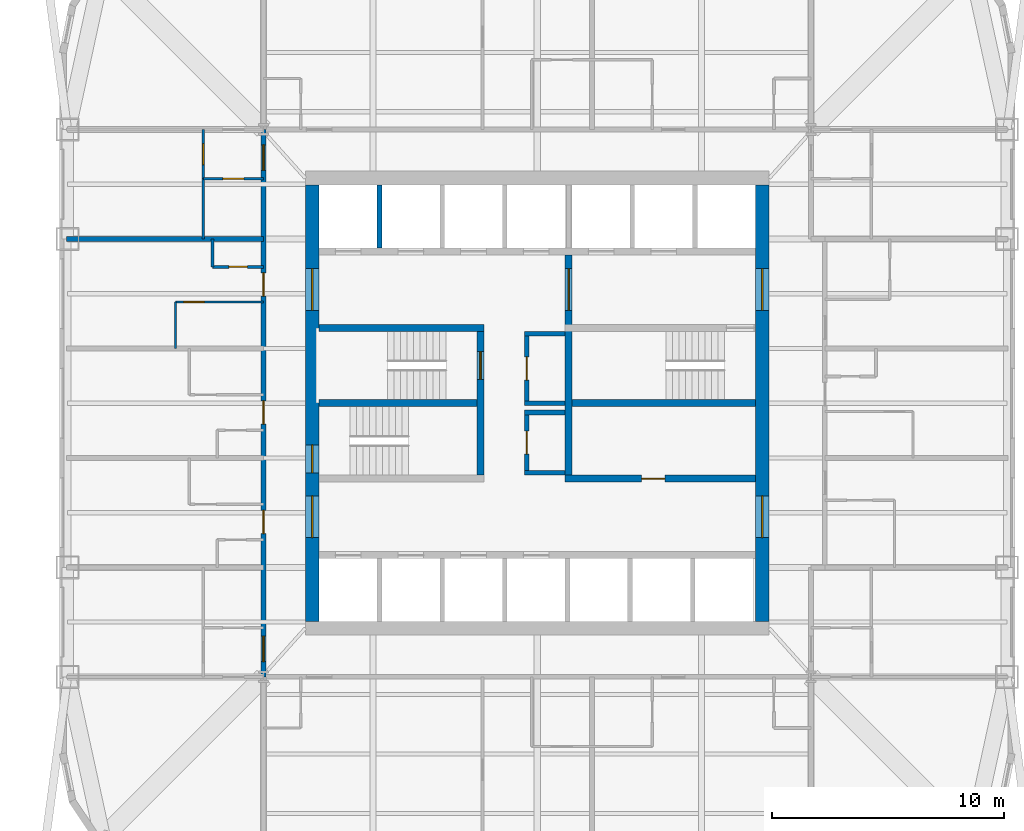
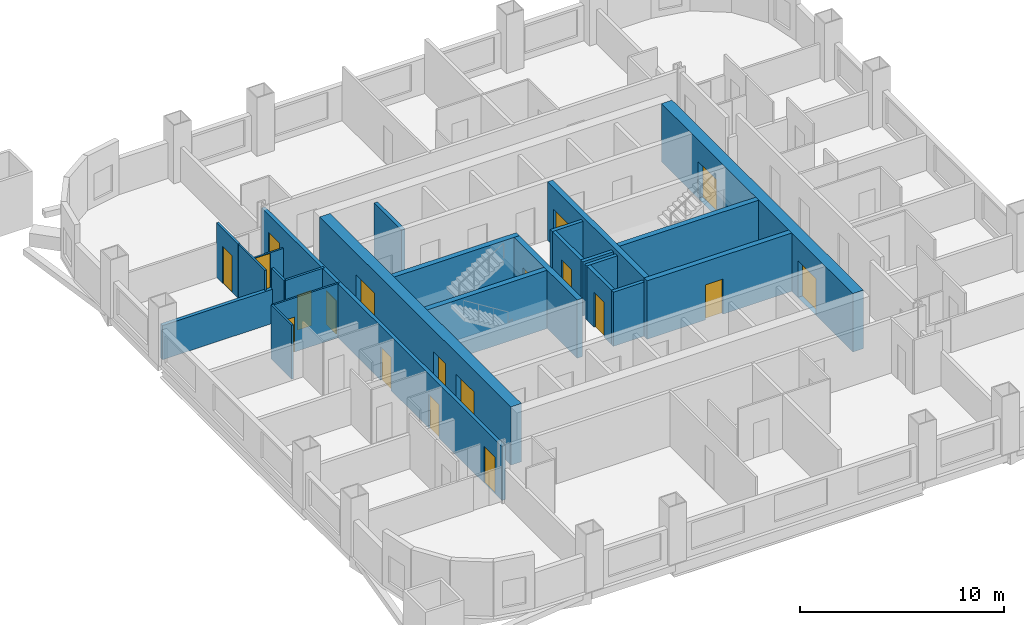
# One storey, part 4 of 8: 24 walls, 19 doors, 19 openings.
"""IFC4 building model written with IfcOpenShell, lengths in metres."""

from ifc_helpers import new_model, si_unit, direction, frame, frame_2d, origin, place, context, subcontext, project, spatial, rectangle, extrude, material, layer, layer_set, type_object, element, fill, save


model = new_model("IFC4")

# Units and contexts
model_context = context("Model", 3, precision=1e-05, world=origin(), true_north=direction((0.0, 1.0)))
body_context = subcontext(model_context, "Body", "Model", "MODEL_VIEW")
ifc_project = project(units=[si_unit("LENGTHUNIT", "METRE"), si_unit("AREAUNIT", "SQUARE_METRE"), si_unit("VOLUMEUNIT", "CUBIC_METRE"), si_unit("PLANEANGLEUNIT", "RADIAN"), si_unit("MASSUNIT", "GRAM", prefix="KILO")], contexts=[model_context])

# Site, building, storey
site_placement = place(None, origin())
site = spatial("IfcSite", under=ifc_project, at=site_placement, CompositionType="ELEMENT")
building_placement = place(site_placement, origin())
building = spatial("IfcBuilding", under=site, at=building_placement, Name="Turquesa Mirador Hotel Tower", CompositionType="ELEMENT")
storey_placement = place(building_placement, frame((0.0, 0.0, 152.89990234375)))
storey = spatial("IfcBuildingStorey", under=building, at=storey_placement, Name="L41", CompositionType="ELEMENT", Elevation=152.89990234375)

# Wall, opening, door
ifc_material_1 = material(Name="Gypsum board on steel studs", Category="steel")
ifc_layer_1 = layer(ifc_material_1, 0.10009765625)
ifc_layer_set_1 = layer_set([ifc_layer_1], Name="BATHROOM WALL 100")
wall_type_1 = type_object("IfcWallType", Name="BATHROOM WALL 100", PredefinedType="PARTITIONING", material=ifc_layer_set_1)
wall_1_placement = place(storey_placement, frame((39.39990234375, 49.360107421875, 0.0), z_axis=(0.0, 0.0, 1.0), x_axis=(1.0, 0.0, 0.0)))
wall_1 = element("IfcWall", 1, at=wall_1_placement, inside=storey, type_object=wall_type_1, Name="Partition L41 029", PredefinedType="PARTITIONING", context=body_context, shape_type="SweptSolid", body=[
    extrude(rectangle(XDim=3.800048828125, YDim=0.10009765625, at=frame_2d((1.89990234375, 0.0))), origin(), (0.0, 0.0, 1.0), 3.25),
])
opening_1_placement = place(wall_1_placement, frame((0.35009765625, 0.0, 0.0)))
opening_1 = element("IfcOpeningElement", 2, at=opening_1_placement, cuts=wall_1, Name="Opening D02", PredefinedType="OPENING", context=body_context, shape_type="SweptSolid", body=[
    extrude(rectangle(XDim=0.89990234375, YDim=2.10009765625, at=frame_2d((0.449951171875, 1.050048828125))), frame((0.0, 0.06005859375, 0.0), z_axis=(0.0, -1.0, 0.0), x_axis=(1.0, 0.0, 0.0)), (0.0, 0.0, 1.0), 0.1201171875),
])
ifc_material_2 = material(Name="Timber veneered door", Category="wood")
door_type_1 = type_object("IfcDoorType", Name="DOOR 900X2100 EN-SUITE", OperationType="SINGLE_SWING_RIGHT", PredefinedType="DOOR", material=ifc_material_2)
door_1_placement = place(opening_1_placement, origin())
door_1 = element("IfcDoor", 3, at=door_1_placement, inside=storey, type_object=door_type_1, Name="Door 4110B", OperationType="SINGLE_SWING_RIGHT", OverallHeight=2.10009765625, OverallWidth=0.89990234375, PredefinedType="DOOR", context=body_context, shape_type="SweptSolid", body=[
    extrude(rectangle(XDim=0.89990234375, YDim=2.10009765625, at=frame_2d((0.449951171875, 1.050048828125))), frame((0.0, 0.02490234375, 0.0), z_axis=(0.0, -1.0, 0.0), x_axis=(1.0, 0.0, 0.0)), (0.0, 0.0, 1.0), 0.050048828125),
])
fill(opening_1, door_1)

wall_2_placement = place(storey_placement, frame((40.60009765625, 54.679931640625, 0.0), z_axis=(0.0, 0.0, 1.0), x_axis=(1.0, 0.0, 0.0)))
wall_2 = element("IfcWall", 4, at=wall_2_placement, inside=storey, type_object=wall_type_1, Name="Partition L41 035", PredefinedType="PARTITIONING", context=body_context, shape_type="SweptSolid", body=[
    extrude(rectangle(XDim=2.599853515625, YDim=0.10009765625, at=frame_2d((1.2998046875, 0.0))), origin(), (0.0, 0.0, 1.0), 2.132568359375),
])
opening_2_placement = place(wall_2_placement, frame((0.85009765625, 0.0, 0.0)))
opening_2 = element("IfcOpeningElement", 5, at=opening_2_placement, cuts=wall_2, Name="Opening D02", PredefinedType="OPENING", context=body_context, shape_type="SweptSolid", body=[
    extrude(rectangle(XDim=0.89990234375, YDim=2.10009765625, at=frame_2d((0.449951171875, 1.050048828125))), frame((0.0, 0.06005859375, 0.0), z_axis=(0.0, -1.0, 0.0), x_axis=(1.0, 0.0, 0.0)), (0.0, 0.0, 1.0), 0.1201171875),
])
door_2_placement = place(opening_2_placement, origin())
door_2 = element("IfcDoor", 6, at=door_2_placement, inside=storey, type_object=door_type_1, Name="Door 4112B", OperationType="SINGLE_SWING_RIGHT", OverallHeight=2.10009765625, OverallWidth=0.89990234375, PredefinedType="DOOR", context=body_context, shape_type="SweptSolid", body=[
    extrude(rectangle(XDim=0.89990234375, YDim=2.10009765625, at=frame_2d((0.449951171875, 1.050048828125))), frame((0.0, 0.02490234375, 0.0), z_axis=(0.0, -1.0, 0.0), x_axis=(1.0, 0.0, 0.0)), (0.0, 0.0, 1.0), 0.050048828125),
])
fill(opening_2, door_2)

# Walls
wall_3_placement = place(storey_placement, frame((40.60009765625, 52.080078125, 0.0), z_axis=(0.0, 0.0, 1.0), x_axis=(0.0, 1.0, 0.0)))
element("IfcWall", 7, at=wall_3_placement, inside=storey, type_object=wall_type_1, Name="Partition L41 048", PredefinedType="PARTITIONING", context=body_context, shape_type="SweptSolid", body=[
    extrude(rectangle(XDim=2.599853515625, YDim=0.10009765625, at=frame_2d((1.2998046875, 0.0))), origin(), (0.0, 0.0, 1.0), 3.25),
])
wall_4_placement = place(storey_placement, frame((39.39990234375, 47.360107421875, 0.0), z_axis=(0.0, 0.0, 1.0), x_axis=(0.0, 1.0, 0.0)))
element("IfcWall", 8, at=wall_4_placement, inside=storey, type_object=wall_type_1, Name="Partition L41 053", PredefinedType="PARTITIONING", context=body_context, shape_type="SweptSolid", body=[
    extrude(rectangle(XDim=2.0, YDim=0.10009765625, at=frame_2d((1.0, 0.0))), origin(), (0.0, 0.0, 1.0), 3.25),
])
ifc_material_3 = material(Name="Concrete C50/60", Category="concrete")
ifc_layer_2 = layer(ifc_material_3, 0.300048828125)
ifc_layer_set_2 = layer_set([ifc_layer_2], Name="CORE INNER WALL 300")
wall_type_2 = type_object("IfcWallType", Name="CORE INNER WALL 300", PredefinedType="SHEAR", material=ifc_layer_set_2)
wall_5_placement = place(storey_placement, frame((45.60009765625, 48.25, 0.0), z_axis=(0.0, 0.0, 1.0), x_axis=(1.0, 0.0, 0.0)))
element("IfcWall", 9, at=wall_5_placement, inside=storey, type_object=wall_type_2, Name="Core wall MN-W", PredefinedType="SHEAR", context=body_context, shape_type="SweptSolid", body=[
    extrude(rectangle(XDim=7.099853515625, YDim=0.300048828125, at=frame_2d((3.5498046875, 0.0))), origin(), (0.0, 0.0, 1.0), 3.5),
])

# Wall, opening, door
wall_6_placement = place(storey_placement, frame((56.199951171875, 41.75, 0.0), z_axis=(0.0, 0.0, 1.0), x_axis=(1.0, 0.0, 0.0)))
wall_6 = element("IfcWall", 10, at=wall_6_placement, inside=storey, type_object=wall_type_2, Name="Core wall MS-E", PredefinedType="SHEAR", context=body_context, shape_type="SweptSolid", body=[
    extrude(rectangle(XDim=8.199951171875, YDim=0.300048828125, at=frame_2d((4.10009765625, 0.0))), origin(), (0.0, 0.0, 1.0), 3.5),
])
opening_3_placement = place(wall_6_placement, frame((3.300048828125, 0.0, 0.0)))
opening_3 = element("IfcOpeningElement", 11, at=opening_3_placement, cuts=wall_6, Name="Opening D05", PredefinedType="OPENING", context=body_context, shape_type="SweptSolid", body=[
    extrude(rectangle(XDim=1.0, YDim=2.10009765625, at=frame_2d((0.5, 1.050048828125))), frame((0.0, 0.159912109375, 0.0), z_axis=(0.0, -1.0, 0.0), x_axis=(1.0, 0.0, 0.0)), (0.0, 0.0, 1.0), 0.320068359375),
])
ifc_material_4 = material(Name="Steel fire door", Category="steel")
door_type_2 = type_object("IfcDoorType", Name="DOOR 1000X2100 SERVICE", OperationType="SINGLE_SWING_LEFT", PredefinedType="DOOR", material=ifc_material_4)
door_3_placement = place(opening_3_placement, origin())
door_3 = element("IfcDoor", 12, at=door_3_placement, inside=storey, type_object=door_type_2, Name="Housekeeping room door", OperationType="SINGLE_SWING_LEFT", OverallHeight=2.10009765625, OverallWidth=1.0, PredefinedType="DOOR", context=body_context, shape_type="SweptSolid", body=[
    extrude(rectangle(XDim=1.0, YDim=2.10009765625, at=frame_2d((0.5, 1.050048828125))), frame((0.0, 0.02490234375, 0.0), z_axis=(0.0, -1.0, 0.0), x_axis=(1.0, 0.0, 0.0)), (0.0, 0.0, 1.0), 0.050048828125),
])
fill(opening_3, door_3)

wall_7_placement = place(storey_placement, frame((52.550048828125, 41.89990234375, 0.0), z_axis=(0.0, 0.0, 1.0), x_axis=(0.0, 1.0, 0.0)))
wall_7 = element("IfcWall", 13, at=wall_7_placement, inside=storey, type_object=wall_type_2, Name="Core wall PW", PredefinedType="SHEAR", context=body_context, shape_type="SweptSolid", body=[
    extrude(rectangle(XDim=6.2001953125, YDim=0.300048828125, at=frame_2d((3.10009765625, 0.0))), origin(), (0.0, 0.0, 1.0), 3.5),
])
opening_4_placement = place(wall_7_placement, frame((4.125, 0.0, 0.0)))
opening_4 = element("IfcOpeningElement", 14, at=opening_4_placement, cuts=wall_7, Name="Opening D03", PredefinedType="OPENING", context=body_context, shape_type="SweptSolid", body=[
    extrude(rectangle(XDim=1.199951171875, YDim=2.199951171875, at=frame_2d((0.60009765625, 1.10009765625))), frame((0.0, 0.159912109375, 0.0), z_axis=(0.0, -1.0, 0.0), x_axis=(1.0, 0.0, 0.0)), (0.0, 0.0, 1.0), 0.320068359375),
])
ifc_material_5 = material(Name="Steel fire door", Category="steel")
door_type_3 = type_object("IfcDoorType", Name="DOOR 1200X2200 STAIR", OperationType="SINGLE_SWING_LEFT", PredefinedType="DOOR", material=ifc_material_5)
door_4_placement = place(opening_4_placement, origin())
door_4 = element("IfcDoor", 15, at=door_4_placement, inside=storey, type_object=door_type_3, Name="Stair ST1 door", OperationType="SINGLE_SWING_LEFT", OverallHeight=2.199951171875, OverallWidth=1.199951171875, PredefinedType="DOOR", context=body_context, shape_type="SweptSolid", body=[
    extrude(rectangle(XDim=1.199951171875, YDim=2.199951171875, at=frame_2d((0.60009765625, 1.10009765625))), frame((0.0, 0.02490234375, 0.0), z_axis=(0.0, -1.0, 0.0), x_axis=(1.0, 0.0, 0.0)), (0.0, 0.0, 1.0), 0.050048828125),
])
fill(opening_4, door_4)

wall_8_placement = place(storey_placement, frame((56.35009765625, 41.89990234375, 0.0), z_axis=(0.0, 0.0, 1.0), x_axis=(0.0, 1.0, 0.0)))
wall_8 = element("IfcWall", 16, at=wall_8_placement, inside=storey, type_object=wall_type_2, Name="Core wall PE", PredefinedType="SHEAR", context=body_context, shape_type="SweptSolid", body=[
    extrude(rectangle(XDim=9.5, YDim=0.300048828125, at=frame_2d((4.75, 0.0))), origin(), (0.0, 0.0, 1.0), 3.5),
])
opening_5_placement = place(wall_8_placement, frame((7.10009765625, 0.0, 0.0)))
opening_5 = element("IfcOpeningElement", 17, at=opening_5_placement, cuts=wall_8, Name="Opening D04", PredefinedType="OPENING", context=body_context, shape_type="SweptSolid", body=[
    extrude(rectangle(XDim=1.800048828125, YDim=2.199951171875, at=frame_2d((0.89990234375, 1.10009765625))), frame((0.0, 0.159912109375, 0.0), z_axis=(0.0, -1.0, 0.0), x_axis=(1.0, 0.0, 0.0)), (0.0, 0.0, 1.0), 0.320068359375),
])
ifc_material_6 = material(Name="Steel fire door pair", Category="steel")
door_type_4 = type_object("IfcDoorType", Name="DOOR 1800X2200 PAIR", OperationType="DOUBLE_DOOR_SINGLE_SWING", PredefinedType="DOOR", material=ifc_material_6)
door_5_placement = place(opening_5_placement, origin())
door_5 = element("IfcDoor", 18, at=door_5_placement, inside=storey, type_object=door_type_4, Name="Firefighting lobby inner door", OperationType="DOUBLE_DOOR_SINGLE_SWING", OverallHeight=2.199951171875, OverallWidth=1.800048828125, PredefinedType="DOOR", context=body_context, shape_type="SweptSolid", body=[
    extrude(rectangle(XDim=1.800048828125, YDim=2.199951171875, at=frame_2d((0.89990234375, 1.10009765625))), frame((0.0, 0.02490234375, 0.0), z_axis=(0.0, -1.0, 0.0), x_axis=(1.0, 0.0, 0.0)), (0.0, 0.0, 1.0), 0.050048828125),
])
fill(opening_5, door_5)

# Walls
wall_9_placement = place(storey_placement, frame((45.60009765625, 45.0, 0.0), z_axis=(0.0, 0.0, 1.0), x_axis=(1.0, 0.0, 0.0)))
element("IfcWall", 19, at=wall_9_placement, inside=storey, type_object=wall_type_2, Name="Core wall M0-W", PredefinedType="SHEAR", context=body_context, shape_type="SweptSolid", body=[
    extrude(rectangle(XDim=6.7998046875, YDim=0.300048828125, at=frame_2d((3.39990234375, 0.0))), origin(), (0.0, 0.0, 1.0), 3.5),
])
wall_10_placement = place(storey_placement, frame((56.5, 45.0, 0.0), z_axis=(0.0, 0.0, 1.0), x_axis=(1.0, 0.0, 0.0)))
element("IfcWall", 20, at=wall_10_placement, inside=storey, type_object=wall_type_2, Name="Core wall M0-E", PredefinedType="SHEAR", context=body_context, shape_type="SweptSolid", body=[
    extrude(rectangle(XDim=7.89990234375, YDim=0.300048828125, at=frame_2d((3.949951171875, 0.0))), origin(), (0.0, 0.0, 1.0), 3.5),
])

# Wall, openings, doors
ifc_material_7 = material(Name="Concrete C50/60", Category="concrete")
ifc_layer_3 = layer(ifc_material_7, 0.60009765625)
ifc_layer_set_3 = layer_set([ifc_layer_3], Name="CORE WALL 600")
wall_type_3 = type_object("IfcWallType", Name="CORE WALL 600", PredefinedType="SHEAR", material=ifc_layer_set_3)
wall_11_placement = place(storey_placement, frame((64.699951171875, 35.60009765625, 0.0), z_axis=(0.0, 0.0, 1.0), x_axis=(0.0, 1.0, 0.0)))
wall_11 = element("IfcWall", 21, at=wall_11_placement, inside=storey, type_object=wall_type_3, Name="Core wall E", PredefinedType="SHEAR", context=body_context, shape_type="SweptSolid", body=[
    extrude(rectangle(XDim=18.7998046875, YDim=0.60009765625, at=frame_2d((9.39990234375, 0.0))), origin(), (0.0, 0.0, 1.0), 3.5),
])
opening_6_placement = place(wall_11_placement, frame((13.39990234375, 0.0, 0.0)))
opening_6 = element("IfcOpeningElement", 22, at=opening_6_placement, cuts=wall_11, Name="Opening D04", PredefinedType="OPENING", context=body_context, shape_type="SweptSolid", body=[
    extrude(rectangle(XDim=1.800048828125, YDim=2.199951171875, at=frame_2d((0.89990234375, 1.10009765625))), frame((0.0, 0.31005859375, 0.0), z_axis=(0.0, -1.0, 0.0), x_axis=(1.0, 0.0, 0.0)), (0.0, 0.0, 1.0), 0.6201171875),
])
opening_7_placement = place(wall_11_placement, frame((3.60009765625, 0.0, 0.0)))
opening_7 = element("IfcOpeningElement", 23, at=opening_7_placement, cuts=wall_11, Name="Opening D04", PredefinedType="OPENING", context=body_context, shape_type="SweptSolid", body=[
    extrude(rectangle(XDim=1.800048828125, YDim=2.199951171875, at=frame_2d((0.89990234375, 1.10009765625))), frame((0.0, 0.31005859375, 0.0), z_axis=(0.0, -1.0, 0.0), x_axis=(1.0, 0.0, 0.0)), (0.0, 0.0, 1.0), 0.6201171875),
])
door_6_placement = place(opening_6_placement, origin())
door_6 = element("IfcDoor", 24, at=door_6_placement, inside=storey, type_object=door_type_4, Name="Firefighting lobby door", OperationType="DOUBLE_DOOR_SINGLE_SWING", OverallHeight=2.199951171875, OverallWidth=1.800048828125, PredefinedType="DOOR", context=body_context, shape_type="SweptSolid", body=[
    extrude(rectangle(XDim=1.800048828125, YDim=2.199951171875, at=frame_2d((0.89990234375, 1.10009765625))), frame((0.0, 0.02490234375, 0.0), z_axis=(0.0, -1.0, 0.0), x_axis=(1.0, 0.0, 0.0)), (0.0, 0.0, 1.0), 0.050048828125),
])
fill(opening_6, door_6)
door_7_placement = place(opening_7_placement, origin())
door_7 = element("IfcDoor", 25, at=door_7_placement, inside=storey, type_object=door_type_4, Name="South lift lobby door", OperationType="DOUBLE_DOOR_SINGLE_SWING", OverallHeight=2.199951171875, OverallWidth=1.800048828125, PredefinedType="DOOR", context=body_context, shape_type="SweptSolid", body=[
    extrude(rectangle(XDim=1.800048828125, YDim=2.199951171875, at=frame_2d((0.89990234375, 1.10009765625))), frame((0.0, 0.02490234375, 0.0), z_axis=(0.0, -1.0, 0.0), x_axis=(1.0, 0.0, 0.0)), (0.0, 0.0, 1.0), 0.050048828125),
])
fill(opening_7, door_7)

wall_12_placement = place(storey_placement, frame((45.300048828125, 35.60009765625, 0.0), z_axis=(0.0, 0.0, 1.0), x_axis=(0.0, 1.0, 0.0)))
wall_12 = element("IfcWall", 26, at=wall_12_placement, inside=storey, type_object=wall_type_3, Name="Core wall W", PredefinedType="SHEAR", context=body_context, shape_type="SweptSolid", body=[
    extrude(rectangle(XDim=18.7998046875, YDim=0.60009765625, at=frame_2d((9.39990234375, 0.0))), origin(), (0.0, 0.0, 1.0), 3.5),
])
opening_8_placement = place(wall_12_placement, frame((13.39990234375, 0.0, 0.0)))
opening_8 = element("IfcOpeningElement", 27, at=opening_8_placement, cuts=wall_12, Name="Opening D04", PredefinedType="OPENING", context=body_context, shape_type="SweptSolid", body=[
    extrude(rectangle(XDim=1.800048828125, YDim=2.199951171875, at=frame_2d((0.89990234375, 1.10009765625))), frame((0.0, 0.31005859375, 0.0), z_axis=(0.0, -1.0, 0.0), x_axis=(1.0, 0.0, 0.0)), (0.0, 0.0, 1.0), 0.6201171875),
])
opening_9_placement = place(wall_12_placement, frame((3.60009765625, 0.0, 0.0)))
opening_9 = element("IfcOpeningElement", 28, at=opening_9_placement, cuts=wall_12, Name="Opening D04", PredefinedType="OPENING", context=body_context, shape_type="SweptSolid", body=[
    extrude(rectangle(XDim=1.800048828125, YDim=2.199951171875, at=frame_2d((0.89990234375, 1.10009765625))), frame((0.0, 0.31005859375, 0.0), z_axis=(0.0, -1.0, 0.0), x_axis=(1.0, 0.0, 0.0)), (0.0, 0.0, 1.0), 0.6201171875),
])
opening_10_placement = place(wall_12_placement, frame((6.39990234375, 0.0, 0.0)))
opening_10 = element("IfcOpeningElement", 29, at=opening_10_placement, cuts=wall_12, Name="Opening D03", PredefinedType="OPENING", context=body_context, shape_type="SweptSolid", body=[
    extrude(rectangle(XDim=1.199951171875, YDim=2.199951171875, at=frame_2d((0.60009765625, 1.10009765625))), frame((0.0, 0.31005859375, 0.0), z_axis=(0.0, -1.0, 0.0), x_axis=(1.0, 0.0, 0.0)), (0.0, 0.0, 1.0), 0.6201171875),
])
door_8_placement = place(opening_10_placement, origin())
door_8 = element("IfcDoor", 30, at=door_8_placement, inside=storey, type_object=door_type_3, Name="Stair ST2 door", OperationType="SINGLE_SWING_LEFT", OverallHeight=2.199951171875, OverallWidth=1.199951171875, PredefinedType="DOOR", context=body_context, shape_type="SweptSolid", body=[
    extrude(rectangle(XDim=1.199951171875, YDim=2.199951171875, at=frame_2d((0.60009765625, 1.10009765625))), frame((0.0, 0.02490234375, 0.0), z_axis=(0.0, -1.0, 0.0), x_axis=(1.0, 0.0, 0.0)), (0.0, 0.0, 1.0), 0.050048828125),
])
fill(opening_10, door_8)
door_9_placement = place(opening_8_placement, origin())
door_9 = element("IfcDoor", 31, at=door_9_placement, inside=storey, type_object=door_type_4, Name="North lift lobby door", OperationType="DOUBLE_DOOR_SINGLE_SWING", OverallHeight=2.199951171875, OverallWidth=1.800048828125, PredefinedType="DOOR", context=body_context, shape_type="SweptSolid", body=[
    extrude(rectangle(XDim=1.800048828125, YDim=2.199951171875, at=frame_2d((0.89990234375, 1.10009765625))), frame((0.0, 0.02490234375, 0.0), z_axis=(0.0, -1.0, 0.0), x_axis=(1.0, 0.0, 0.0)), (0.0, 0.0, 1.0), 0.050048828125),
])
fill(opening_8, door_9)
door_10_placement = place(opening_9_placement, origin())
door_10 = element("IfcDoor", 32, at=door_10_placement, inside=storey, type_object=door_type_4, Name="South lift lobby door", OperationType="DOUBLE_DOOR_SINGLE_SWING", OverallHeight=2.199951171875, OverallWidth=1.800048828125, PredefinedType="DOOR", context=body_context, shape_type="SweptSolid", body=[
    extrude(rectangle(XDim=1.800048828125, YDim=2.199951171875, at=frame_2d((0.89990234375, 1.10009765625))), frame((0.0, 0.02490234375, 0.0), z_axis=(0.0, -1.0, 0.0), x_axis=(1.0, 0.0, 0.0)), (0.0, 0.0, 1.0), 0.050048828125),
])
fill(opening_9, door_10)

ifc_material_8 = material(Name="Fire-rated gypsum board on steel studs", Category="steel")
ifc_layer_4 = layer(ifc_material_8, 0.199951171875)
ifc_layer_set_4 = layer_set([ifc_layer_4], Name="CORRIDOR WALL 200")
wall_type_4 = type_object("IfcWallType", Name="CORRIDOR WALL 200", PredefinedType="PARTITIONING", material=ifc_layer_set_4)
wall_13_placement = place(storey_placement, frame((43.199951171875, 33.199951171875, 0.0), z_axis=(0.0, 0.0, 1.0), x_axis=(0.0, 1.0, 0.0)))
wall_13 = element("IfcWall", 33, at=wall_13_placement, inside=storey, type_object=wall_type_4, Name="Partition L41 041", PredefinedType="PARTITIONING", context=body_context, shape_type="SweptSolid", body=[
    extrude(rectangle(XDim=23.60009765625, YDim=0.199951171875, at=frame_2d((11.800048828125, 0.0))), origin(), (0.0, 0.0, 1.0), 3.25),
])
opening_11_placement = place(wall_13_placement, frame((6.179931640625, 0.0, 0.0)))
opening_11 = element("IfcOpeningElement", 34, at=opening_11_placement, cuts=wall_13, Name="Opening D22", PredefinedType="OPENING", context=body_context, shape_type="SweptSolid", body=[
    extrude(rectangle(XDim=1.0, YDim=2.0, at=frame_2d((0.5, 1.0))), frame((0.0, 0.10986328125, 0.0), z_axis=(0.0, -1.0, 0.0), x_axis=(1.0, 0.0, 0.0)), (0.0, 0.0, 1.0), 0.219970703125),
])
opening_12_placement = place(wall_13_placement, frame((10.89990234375, 0.0, 0.0)))
opening_12 = element("IfcOpeningElement", 35, at=opening_12_placement, cuts=wall_13, Name="Opening D22", PredefinedType="OPENING", context=body_context, shape_type="SweptSolid", body=[
    extrude(rectangle(XDim=1.0, YDim=2.0, at=frame_2d((0.5, 1.0))), frame((0.0, 0.10986328125, 0.0), z_axis=(0.0, -1.0, 0.0), x_axis=(1.0, 0.0, 0.0)), (0.0, 0.0, 1.0), 0.219970703125),
])
opening_13_placement = place(wall_13_placement, frame((16.419921875, 0.0, 0.0)))
opening_13 = element("IfcOpeningElement", 36, at=opening_13_placement, cuts=wall_13, Name="Opening D22", PredefinedType="OPENING", context=body_context, shape_type="SweptSolid", body=[
    extrude(rectangle(XDim=1.0, YDim=2.0, at=frame_2d((0.5, 1.0))), frame((0.0, 0.10986328125, 0.0), z_axis=(0.0, -1.0, 0.0), x_axis=(1.0, 0.0, 0.0)), (0.0, 0.0, 1.0), 0.219970703125),
])
opening_14_placement = place(wall_13_placement, frame((21.840087890625, 0.0, 0.0)))
opening_14 = element("IfcOpeningElement", 37, at=opening_14_placement, cuts=wall_13, Name="Opening D15", PredefinedType="OPENING", context=body_context, shape_type="SweptSolid", body=[
    extrude(rectangle(XDim=1.10009765625, YDim=2.199951171875, at=frame_2d((0.550048828125, 1.10009765625))), frame((0.0, 0.10986328125, 0.0), z_axis=(0.0, -1.0, 0.0), x_axis=(1.0, 0.0, 0.0)), (0.0, 0.0, 1.0), 0.219970703125),
])
opening_15_placement = place(wall_13_placement, frame((0.659912109375, 0.0, 0.0)))
opening_15 = element("IfcOpeningElement", 38, at=opening_15_placement, cuts=wall_13, Name="Opening D15", PredefinedType="OPENING", context=body_context, shape_type="SweptSolid", body=[
    extrude(rectangle(XDim=1.10009765625, YDim=2.199951171875, at=frame_2d((0.550048828125, 1.10009765625))), frame((0.0, 0.10986328125, 0.0), z_axis=(0.0, -1.0, 0.0), x_axis=(1.0, 0.0, 0.0)), (0.0, 0.0, 1.0), 0.219970703125),
])
ifc_material_9 = material(Name="Timber veneered fire door", Category="wood")
door_type_5 = type_object("IfcDoorType", Name="DOOR 1000X2000 GUEST ENTRY", OperationType="SINGLE_SWING_LEFT", PredefinedType="DOOR", material=ifc_material_9)
door_11_placement = place(opening_11_placement, origin())
door_11 = element("IfcDoor", 39, at=door_11_placement, inside=storey, type_object=door_type_5, Name="Door 4108", OperationType="SINGLE_SWING_LEFT", OverallHeight=2.0, OverallWidth=1.0, PredefinedType="DOOR", context=body_context, shape_type="SweptSolid", body=[
    extrude(rectangle(XDim=1.0, YDim=2.0, at=frame_2d((0.5, 1.0))), frame((0.0, 0.02490234375, 0.0), z_axis=(0.0, -1.0, 0.0), x_axis=(1.0, 0.0, 0.0)), (0.0, 0.0, 1.0), 0.050048828125),
])
fill(opening_11, door_11)
door_12_placement = place(opening_12_placement, origin())
door_12 = element("IfcDoor", 40, at=door_12_placement, inside=storey, type_object=door_type_5, Name="Door 4109", OperationType="SINGLE_SWING_LEFT", OverallHeight=2.0, OverallWidth=1.0, PredefinedType="DOOR", context=body_context, shape_type="SweptSolid", body=[
    extrude(rectangle(XDim=1.0, YDim=2.0, at=frame_2d((0.5, 1.0))), frame((0.0, 0.02490234375, 0.0), z_axis=(0.0, -1.0, 0.0), x_axis=(1.0, 0.0, 0.0)), (0.0, 0.0, 1.0), 0.050048828125),
])
fill(opening_12, door_12)
door_13_placement = place(opening_13_placement, origin())
door_13 = element("IfcDoor", 41, at=door_13_placement, inside=storey, type_object=door_type_5, Name="Door 4110", OperationType="SINGLE_SWING_LEFT", OverallHeight=2.0, OverallWidth=1.0, PredefinedType="DOOR", context=body_context, shape_type="SweptSolid", body=[
    extrude(rectangle(XDim=1.0, YDim=2.0, at=frame_2d((0.5, 1.0))), frame((0.0, 0.02490234375, 0.0), z_axis=(0.0, -1.0, 0.0), x_axis=(1.0, 0.0, 0.0)), (0.0, 0.0, 1.0), 0.050048828125),
])
fill(opening_13, door_13)
ifc_material_10 = material(Name="Timber veneered fire door", Category="wood")
door_type_6 = type_object("IfcDoorType", Name="DOOR 1100X2200 SUITE ENTRY", OperationType="SINGLE_SWING_LEFT", PredefinedType="DOOR", material=ifc_material_10)
door_14_placement = place(opening_14_placement, origin())
door_14 = element("IfcDoor", 42, at=door_14_placement, inside=storey, type_object=door_type_6, Name="Door 4112H", OperationType="SINGLE_SWING_LEFT", OverallHeight=2.199951171875, OverallWidth=1.10009765625, PredefinedType="DOOR", context=body_context, shape_type="SweptSolid", body=[
    extrude(rectangle(XDim=1.10009765625, YDim=2.199951171875, at=frame_2d((0.550048828125, 1.10009765625))), frame((0.0, 0.02490234375, 0.0), z_axis=(0.0, -1.0, 0.0), x_axis=(1.0, 0.0, 0.0)), (0.0, 0.0, 1.0), 0.050048828125),
])
fill(opening_14, door_14)
door_15_placement = place(opening_15_placement, origin())
door_15 = element("IfcDoor", 43, at=door_15_placement, inside=storey, type_object=door_type_6, Name="Door 4113H", OperationType="SINGLE_SWING_LEFT", OverallHeight=2.199951171875, OverallWidth=1.10009765625, PredefinedType="DOOR", context=body_context, shape_type="SweptSolid", body=[
    extrude(rectangle(XDim=1.10009765625, YDim=2.199951171875, at=frame_2d((0.550048828125, 1.10009765625))), frame((0.0, 0.02490234375, 0.0), z_axis=(0.0, -1.0, 0.0), x_axis=(1.0, 0.0, 0.0)), (0.0, 0.0, 1.0), 0.050048828125),
])
fill(opening_15, door_15)

# Wall, opening, door
ifc_material_11 = material(Name="Fire-rated gypsum board on steel studs", Category="steel")
ifc_layer_5 = layer(ifc_material_11, 0.199951171875)
ifc_layer_set_5 = layer_set([ifc_layer_5], Name="FIRE PARTITION 200")
wall_type_5 = type_object("IfcWallType", Name="FIRE PARTITION 200", PredefinedType="PARTITIONING", material=ifc_layer_set_5)
wall_14_placement = place(storey_placement, frame((54.550048828125, 42.0, 0.0), z_axis=(0.0, 0.0, 1.0), x_axis=(0.0, 1.0, 0.0)))
wall_14 = element("IfcWall", 44, at=wall_14_placement, inside=storey, type_object=wall_type_5, Name="Partition L41 CO W", PredefinedType="PARTITIONING", context=body_context, shape_type="SweptSolid", body=[
    extrude(rectangle(XDim=2.60009765625, YDim=0.199951171875, at=frame_2d((1.300048828125, 0.0))), origin(), (0.0, 0.0, 1.0), 3.25),
])
opening_16_placement = place(wall_14_placement, frame((0.800048828125, 0.0, 0.0)))
opening_16 = element("IfcOpeningElement", 45, at=opening_16_placement, cuts=wall_14, Name="Opening D05", PredefinedType="OPENING", context=body_context, shape_type="SweptSolid", body=[
    extrude(rectangle(XDim=1.0, YDim=2.10009765625, at=frame_2d((0.5, 1.050048828125))), frame((0.0, 0.10986328125, 0.0), z_axis=(0.0, -1.0, 0.0), x_axis=(1.0, 0.0, 0.0)), (0.0, 0.0, 1.0), 0.219970703125),
])
door_16_placement = place(opening_16_placement, origin())
door_16 = element("IfcDoor", 46, at=door_16_placement, inside=storey, type_object=door_type_2, Name="Concierge desk door", OperationType="SINGLE_SWING_LEFT", OverallHeight=2.10009765625, OverallWidth=1.0, PredefinedType="DOOR", context=body_context, shape_type="SweptSolid", body=[
    extrude(rectangle(XDim=1.0, YDim=2.10009765625, at=frame_2d((0.5, 1.050048828125))), frame((0.0, 0.02490234375, 0.0), z_axis=(0.0, -1.0, 0.0), x_axis=(1.0, 0.0, 0.0)), (0.0, 0.0, 1.0), 0.050048828125),
])
fill(opening_16, door_16)

# Walls
for number, where, z_axis, x_axis, name in (
    (47, (54.449951171875, 42.0, 0.0), (0.0, 0.0, 1.0), (1.0, 0.0, 0.0), "Partition L41 CO S"),
    (48, (54.449951171875, 44.60009765625, 0.0), (0.0, 0.0, 1.0), (1.0, 0.0, 0.0), "Partition L41 CO N"),
):
    element("IfcWall", number, at=place(storey_placement, frame(where, z_axis=z_axis, x_axis=x_axis)), inside=storey, type_object=wall_type_5, Name=name, PredefinedType="PARTITIONING", context=body_context, shape_type="SweptSolid", body=[
        extrude(rectangle(XDim=1.75, YDim=0.199951171875, at=frame_2d((0.875, 0.0))), origin(), (0.0, 0.0, 1.0), 3.25),
    ])

# Wall, opening, door
wall_15_placement = place(storey_placement, frame((54.550048828125, 45.0, 0.0), z_axis=(0.0, 0.0, 1.0), x_axis=(0.0, 1.0, 0.0)))
wall_15 = element("IfcWall", 49, at=wall_15_placement, inside=storey, type_object=wall_type_5, Name="Partition L41 LG W", PredefinedType="PARTITIONING", context=body_context, shape_type="SweptSolid", body=[
    extrude(rectangle(XDim=3.0, YDim=0.199951171875, at=frame_2d((1.5, 0.0))), origin(), (0.0, 0.0, 1.0), 3.25),
])
opening_17_placement = place(wall_15_placement, frame((1.0, 0.0, 0.0)))
opening_17 = element("IfcOpeningElement", 50, at=opening_17_placement, cuts=wall_15, Name="Opening D05", PredefinedType="OPENING", context=body_context, shape_type="SweptSolid", body=[
    extrude(rectangle(XDim=1.0, YDim=2.10009765625, at=frame_2d((0.5, 1.050048828125))), frame((0.0, 0.10986328125, 0.0), z_axis=(0.0, -1.0, 0.0), x_axis=(1.0, 0.0, 0.0)), (0.0, 0.0, 1.0), 0.219970703125),
])
door_17_placement = place(opening_17_placement, origin())
door_17 = element("IfcDoor", 51, at=door_17_placement, inside=storey, type_object=door_type_2, Name="Luggage room door", OperationType="SINGLE_SWING_LEFT", OverallHeight=2.10009765625, OverallWidth=1.0, PredefinedType="DOOR", context=body_context, shape_type="SweptSolid", body=[
    extrude(rectangle(XDim=1.0, YDim=2.10009765625, at=frame_2d((0.5, 1.050048828125))), frame((0.0, 0.02490234375, 0.0), z_axis=(0.0, -1.0, 0.0), x_axis=(1.0, 0.0, 0.0)), (0.0, 0.0, 1.0), 0.050048828125),
])
fill(opening_17, door_17)

# Walls
for number, where, z_axis, x_axis, name in (
    (52, (54.449951171875, 45.0, 0.0), (0.0, 0.0, 1.0), (1.0, 0.0, 0.0), "Partition L41 LG S"),
    (53, (54.449951171875, 48.0, 0.0), (0.0, 0.0, 1.0), (1.0, 0.0, 0.0), "Partition L41 LG N"),
):
    element("IfcWall", number, at=place(storey_placement, frame(where, z_axis=z_axis, x_axis=x_axis)), inside=storey, type_object=wall_type_5, Name=name, PredefinedType="PARTITIONING", context=body_context, shape_type="SweptSolid", body=[
        extrude(rectangle(XDim=1.75, YDim=0.199951171875, at=frame_2d((0.875, 0.0))), origin(), (0.0, 0.0, 1.0), 3.25),
    ])
ifc_material_12 = material(Name="Fire-rated gypsum shaft wall on steel studs", Category="steel")
ifc_layer_6 = layer(ifc_material_12, 0.199951171875)
ifc_layer_set_6 = layer_set([ifc_layer_6], Name="LIFT SHAFT DIVIDER 200")
wall_type_6 = type_object("IfcWallType", Name="LIFT SHAFT DIVIDER 200", PredefinedType="PARTITIONING", material=ifc_layer_set_6)
wall_16_placement = place(storey_placement, frame((48.199951171875, 51.699951171875, 0.0), z_axis=(0.0, 0.0, 1.0), x_axis=(0.0, 1.0, 0.0)))
element("IfcWall", 54, at=wall_16_placement, inside=storey, type_object=wall_type_6, Name="Lift shaft divider", PredefinedType="PARTITIONING", context=body_context, shape_type="SweptSolid", body=[
    extrude(rectangle(XDim=2.699951171875, YDim=0.199951171875, at=frame_2d((1.35009765625, 0.0))), origin(), (0.0, 0.0, 1.0), 3.25),
])
ifc_material_13 = material(Name="Fire-rated gypsum board on steel studs", Category="steel")
ifc_layer_7 = layer(ifc_material_13, 0.199951171875)
ifc_layer_set_7 = layer_set([ifc_layer_7], Name="PARTY WALL 200")
wall_type_7 = type_object("IfcWallType", Name="PARTY WALL 200", PredefinedType="PARTITIONING", material=ifc_layer_set_7)
wall_17_placement = place(storey_placement, frame((34.699951171875, 52.080078125, 0.0), z_axis=(0.0, 0.0, 1.0), x_axis=(1.0, 0.0, 0.0)))
element("IfcWall", 55, at=wall_17_placement, inside=storey, type_object=wall_type_7, Name="Partition L41 033", PredefinedType="PARTITIONING", context=body_context, shape_type="SweptSolid", body=[
    extrude(rectangle(XDim=8.5, YDim=0.199951171875, at=frame_2d((4.25, 0.0))), origin(), (0.0, 0.0, 1.0), 2.050048828125),
])

# Wall, opening, door
ifc_material_14 = material(Name="Acoustic gypsum board on steel studs", Category="steel")
ifc_layer_8 = layer(ifc_material_14, 0.125)
ifc_layer_set_8 = layer_set([ifc_layer_8], Name="SUITE PARTITION 125")
wall_type_8 = type_object("IfcWallType", Name="SUITE PARTITION 125", PredefinedType="PARTITIONING", material=ifc_layer_set_8)
wall_18_placement = place(storey_placement, frame((41.0, 50.8798828125, 0.0), z_axis=(0.0, 0.0, 1.0), x_axis=(1.0, 0.0, 0.0)))
wall_18 = element("IfcWall", 56, at=wall_18_placement, inside=storey, type_object=wall_type_8, Name="Partition L41 031", PredefinedType="PARTITIONING", context=body_context, shape_type="SweptSolid", body=[
    extrude(rectangle(XDim=2.199951171875, YDim=0.125, at=frame_2d((1.10009765625, 0.0))), origin(), (0.0, 0.0, 1.0), 3.25),
])
opening_18_placement = place(wall_18_placement, frame((0.699951171875, 0.0, 0.0)))
opening_18 = element("IfcOpeningElement", 57, at=opening_18_placement, cuts=wall_18, Name="Opening D20", PredefinedType="OPENING", context=body_context, shape_type="SweptSolid", body=[
    extrude(rectangle(XDim=0.800048828125, YDim=2.10009765625, at=frame_2d((0.39990234375, 1.050048828125))), frame((0.0, 0.072509765625, 0.0), z_axis=(0.0, -1.0, 0.0), x_axis=(1.0, 0.0, 0.0)), (0.0, 0.0, 1.0), 0.14501953125),
])
ifc_material_15 = material(Name="Timber veneered sliding door", Category="wood")
door_type_7 = type_object("IfcDoorType", Name="DOOR 800X2100 WARDROBE", OperationType="SLIDING_TO_LEFT", PredefinedType="DOOR", material=ifc_material_15)
door_18_placement = place(opening_18_placement, origin())
door_18 = element("IfcDoor", 58, at=door_18_placement, inside=storey, type_object=door_type_7, Name="Door 4110W", OperationType="SLIDING_TO_LEFT", OverallHeight=2.10009765625, OverallWidth=0.800048828125, PredefinedType="DOOR", context=body_context, shape_type="SweptSolid", body=[
    extrude(rectangle(XDim=0.800048828125, YDim=2.10009765625, at=frame_2d((0.39990234375, 1.050048828125))), frame((0.0, 0.02490234375, 0.0), z_axis=(0.0, -1.0, 0.0), x_axis=(1.0, 0.0, 0.0)), (0.0, 0.0, 1.0), 0.050048828125),
])
fill(opening_18, door_18)

# Wall
wall_19_placement = place(storey_placement, frame((41.0, 50.8798828125, 0.0), z_axis=(0.0, 0.0, 1.0), x_axis=(0.0, 1.0, 0.0)))
element("IfcWall", 59, at=wall_19_placement, inside=storey, type_object=wall_type_8, Name="Partition L41 046", PredefinedType="PARTITIONING", context=body_context, shape_type="SweptSolid", body=[
    extrude(rectangle(XDim=1.2001953125, YDim=0.125, at=frame_2d((0.60009765625, 0.0))), origin(), (0.0, 0.0, 1.0), 3.25),
])

# Wall, opening, door
wall_20_placement = place(storey_placement, frame((40.60009765625, 54.679931640625, 0.0), z_axis=(0.0, 0.0, 1.0), x_axis=(0.0, 1.0, 0.0)))
wall_20 = element("IfcWall", 60, at=wall_20_placement, inside=storey, type_object=wall_type_8, Name="Partition L41 050", PredefinedType="PARTITIONING", context=body_context, shape_type="SweptSolid", body=[
    extrude(rectangle(XDim=2.1201171875, YDim=0.125, at=frame_2d((1.06005859375, 0.0))), origin(), (0.0, 0.0, 1.0), 3.25),
])
opening_19_placement = place(wall_20_placement, frame((0.610107421875, 0.0, 0.0)))
opening_19 = element("IfcOpeningElement", 61, at=opening_19_placement, cuts=wall_20, Name="Opening D17", PredefinedType="OPENING", context=body_context, shape_type="SweptSolid", body=[
    extrude(rectangle(XDim=0.89990234375, YDim=2.199951171875, at=frame_2d((0.449951171875, 1.10009765625))), frame((0.0, 0.072509765625, 0.0), z_axis=(0.0, -1.0, 0.0), x_axis=(1.0, 0.0, 0.0)), (0.0, 0.0, 1.0), 0.14501953125),
])
ifc_material_16 = material(Name="Timber veneered door", Category="wood")
door_type_8 = type_object("IfcDoorType", Name="DOOR 900X2200 SUITE INTERNAL", OperationType="SINGLE_SWING_LEFT", PredefinedType="DOOR", material=ifc_material_16)
door_19_placement = place(opening_19_placement, origin())
door_19 = element("IfcDoor", 62, at=door_19_placement, inside=storey, type_object=door_type_8, Name="Door 4112R", OperationType="SINGLE_SWING_LEFT", OverallHeight=2.199951171875, OverallWidth=0.89990234375, PredefinedType="DOOR", context=body_context, shape_type="SweptSolid", body=[
    extrude(rectangle(XDim=0.89990234375, YDim=2.199951171875, at=frame_2d((0.449951171875, 1.10009765625))), frame((0.0, 0.02490234375, 0.0), z_axis=(0.0, -1.0, 0.0), x_axis=(1.0, 0.0, 0.0)), (0.0, 0.0, 1.0), 0.050048828125),
])
fill(opening_19, door_19)

save(model, "model.ifc")
